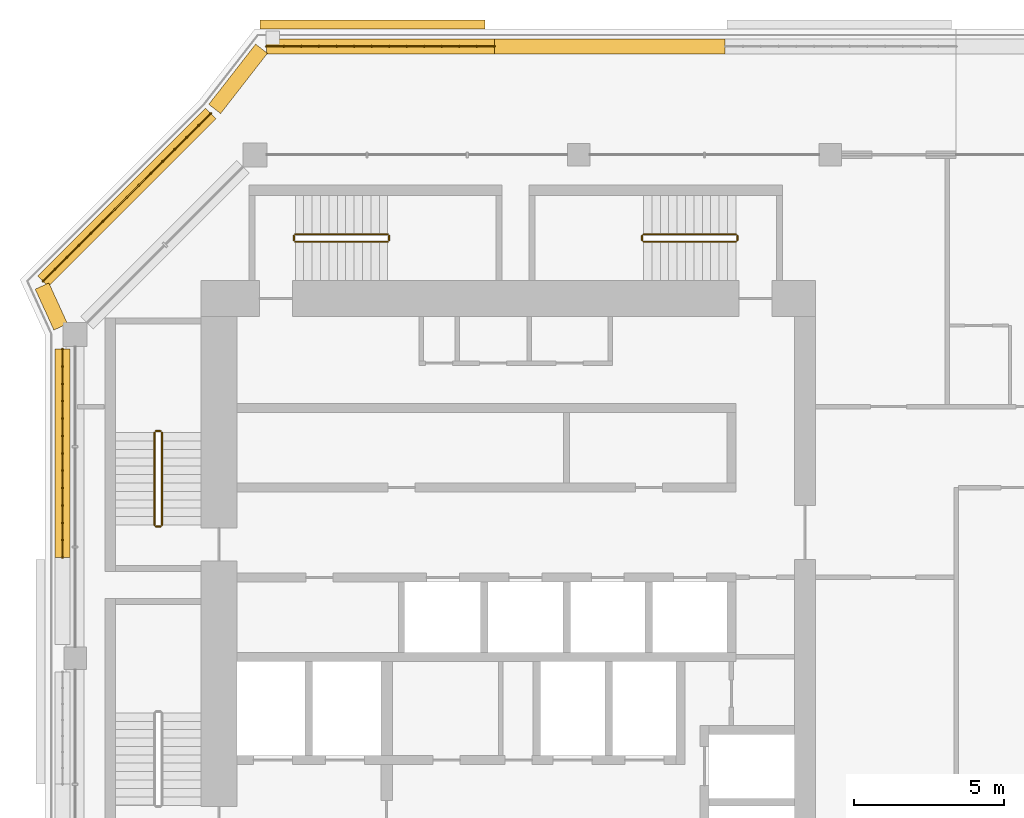
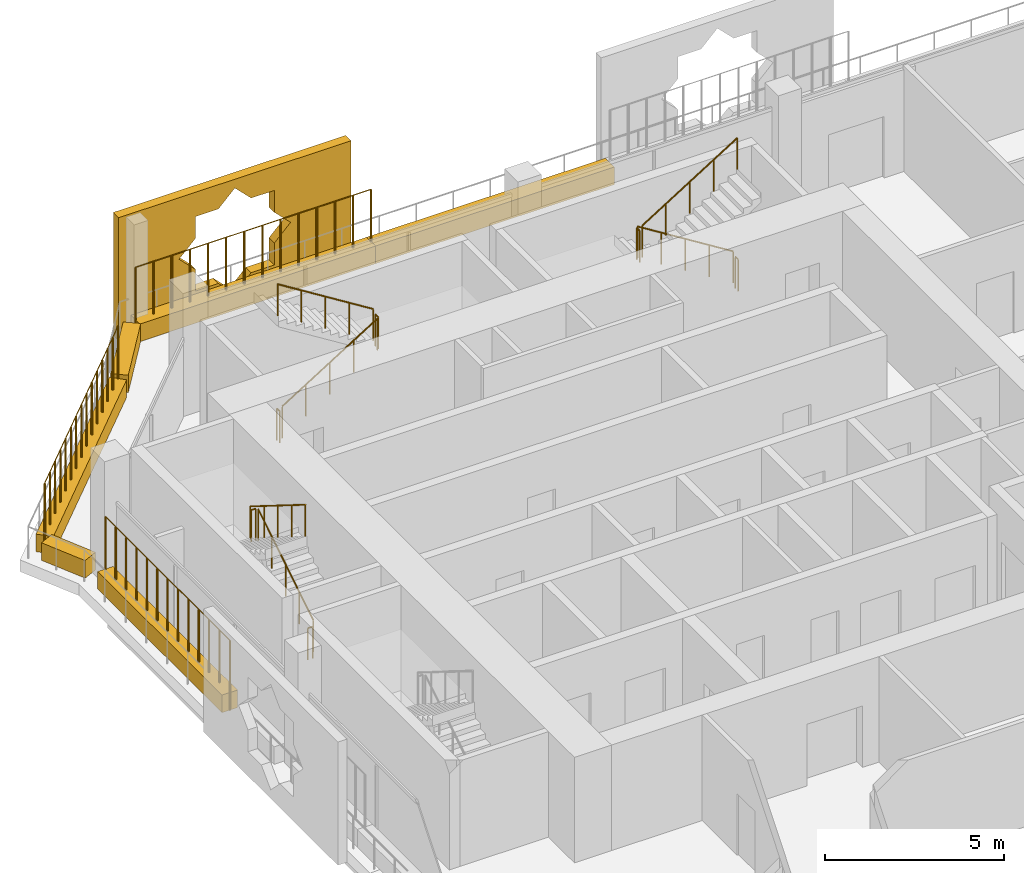
# One storey, part 19 of 21: 15 railings, 7 coverings.
"""IFC4 building model written with IfcOpenShell, lengths in metres."""

from ifc_helpers import new_model, si_unit, direction, frame, origin, origin_2d, place, context, subcontext, project, spatial, polyline, rectangle, circle, outline, extrude, material, material_profile, profile_set, type_object, element, save


model = new_model("IFC4")

# Units and contexts
model_context = context("Model", 3, precision=1e-05, world=origin(), true_north=direction((0.0, 1.0)))
body_context = subcontext(model_context, "Body", "Model", "MODEL_VIEW")
ifc_project = project(units=[si_unit("LENGTHUNIT", "METRE"), si_unit("AREAUNIT", "SQUARE_METRE"), si_unit("VOLUMEUNIT", "CUBIC_METRE"), si_unit("PLANEANGLEUNIT", "RADIAN"), si_unit("MASSUNIT", "GRAM", prefix="KILO")], contexts=[model_context])

# Site, building, storey
site_placement = place(None, origin())
site = spatial("IfcSite", under=ifc_project, at=site_placement, CompositionType="ELEMENT")
building_placement = place(site_placement, origin())
building = spatial("IfcBuilding", under=site, at=building_placement, Name="Kawkab Arch Medical Tower", CompositionType="ELEMENT")
storey_placement = place(building_placement, frame((0.0, 0.0, 307.0)))
storey = spatial("IfcBuildingStorey", under=building, at=storey_placement, Name="L71", CompositionType="ELEMENT", Elevation=307.0)

# Coverings
ifc_material_1 = material(Name="Bronze anodised aluminium mashrabiya panel, eight-point star pattern", Category="aluminium")
ifc_material_profile_1 = material_profile(ifc_material_1, outline(polyline([(-3.75, -2.10009765625), (3.75, -2.10009765625), (3.75, 2.10009765625), (-3.75, 2.10009765625), (-3.75, -2.10009765625)]), holes=[polyline([(1.800048828125, 0.0), (1.272705078125, 0.527099609375), (1.272705078125, 1.272705078125), (0.527099609375, 1.272705078125), (0.0, 1.800048828125), (-0.527099609375, 1.272705078125), (-1.272705078125, 1.272705078125), (-1.272705078125, 0.527099609375), (-1.800048828125, 0.0), (-1.272705078125, -0.527099609375), (-1.272705078125, -1.272705078125), (-0.527099609375, -1.272705078125), (0.0, -1.800048828125), (0.527099609375, -1.272705078125), (1.272705078125, -1.272705078125), (1.272705078125, -0.527099609375), (1.800048828125, 0.0)])]), Name="Mashrabiya panel 7500x4200")
ifc_profile_set_1 = profile_set([ifc_material_profile_1], Name="Bronze anodised aluminium mashrabiya panel, eight-point star pattern")
covering_type_1 = type_object("IfcCoveringType", Name="Mashrabiya panel 7500 x 4200", PredefinedType="USERDEFINED", material=ifc_profile_set_1)
covering_1_placement = place(storey_placement, frame((9.924072265625, 4.199951171875, 1.699951171875), z_axis=(0.0, 1.0, 0.0), x_axis=(-1.0, 0.0, 0.0)))
element("IfcCovering", 1, at=covering_1_placement, inside=storey, type_object=covering_type_1, Name="Mashrabiya panel L71.LOG-01-01.3", ObjectType="SCREEN", PredefinedType="USERDEFINED", context=body_context, shape_type="SweptSolid", body=[
    extrude(outline(polyline([(-3.75, -2.10009765625), (3.75, -2.10009765625), (3.75, 2.10009765625), (-3.75, 2.10009765625), (-3.75, -2.10009765625)]), holes=[polyline([(1.800048828125, 0.0), (1.272705078125, 0.527099609375), (1.272705078125, 1.272705078125), (0.527099609375, 1.272705078125), (0.0, 1.800048828125), (-0.527099609375, 1.272705078125), (-1.272705078125, 1.272705078125), (-1.272705078125, 0.527099609375), (-1.800048828125, 0.0), (-1.272705078125, -0.527099609375), (-1.272705078125, -1.272705078125), (-0.527099609375, -1.272705078125), (0.0, -1.800048828125), (0.527099609375, -1.272705078125), (1.272705078125, -1.272705078125), (1.272705078125, -0.527099609375), (1.800048828125, 0.0)])]), origin(), (0.0, 0.0, 1.0), 0.300048828125),
])
ifc_material_2 = material(Name="Planting soil in a precast trough", Category="concrete")
ifc_material_profile_2 = material_profile(ifc_material_2, rectangle(XDim=0.5, YDim=0.60009765625, at=origin_2d()), Name="Trough 500x600")
ifc_profile_set_2 = profile_set([ifc_material_profile_2], Name="Planting soil in a precast trough")
covering_type_2 = type_object("IfcCoveringType", Name="Planter trough 500 x 600", PredefinedType="USERDEFINED", material=ifc_profile_set_2)
covering_2_placement = place(storey_placement, frame((-0.419921875, -13.43701171875, 0.300048828125), z_axis=(0.0, 1.0, 0.0), x_axis=(-1.0, 0.0, 0.0)))
element("IfcCovering", 2, at=covering_2_placement, inside=storey, type_object=covering_type_2, Name="Planter L71.LOG-01-01.9", ObjectType="PLANTER", PredefinedType="USERDEFINED", context=body_context, shape_type="SweptSolid", body=[
    extrude(rectangle(XDim=0.5, YDim=0.60009765625, at=origin_2d()), origin(), (0.0, 0.0, 1.0), 6.95703125),
])
covering_3_placement = place(storey_placement, frame((-0.47998046875, -5.741943359375, 0.300048828125), z_axis=(-0.415189748133, 0.909734836667, 0.0), x_axis=(-0.909734836667, -0.415189748133, 0.0)))
element("IfcCovering", 3, at=covering_3_placement, inside=storey, type_object=covering_type_2, Name="Planter L71.LOG-01-01.10", ObjectType="PLANTER", PredefinedType="USERDEFINED", context=body_context, shape_type="SweptSolid", body=[
    extrude(rectangle(XDim=0.5, YDim=0.60009765625, at=origin_2d()), origin(), (0.0, 0.0, 1.0), 1.498291015625),
])
covering_4_placement = place(storey_placement, frame((-1.072998046875, -4.217041015625, 0.300048828125), z_axis=(0.707106781187, 0.707106781187, 0.0), x_axis=(-0.707106781187, 0.707106781187, 0.0)))
element("IfcCovering", 4, at=covering_4_placement, inside=storey, type_object=covering_type_2, Name="Planter L71.LOG-01-01.11", ObjectType="PLANTER", PredefinedType="USERDEFINED", context=body_context, shape_type="SweptSolid", body=[
    extrude(rectangle(XDim=0.5, YDim=0.60009765625, at=origin_2d()), origin(), (0.0, 0.0, 1.0), 7.919677734375),
])
covering_5_placement = place(storey_placement, frame((4.658935546875, 1.531982421875, 0.300048828125), z_axis=(0.61404021143, 0.789274742246, 0.0), x_axis=(-0.789274742246, 0.61404021143, 0.0)))
element("IfcCovering", 5, at=covering_5_placement, inside=storey, type_object=covering_type_2, Name="Planter L71.LOG-01-01.12", ObjectType="PLANTER", PredefinedType="USERDEFINED", context=body_context, shape_type="SweptSolid", body=[
    extrude(rectangle(XDim=0.5, YDim=0.60009765625, at=origin_2d()), origin(), (0.0, 0.0, 1.0), 2.54541015625),
])
covering_6_placement = place(storey_placement, frame((6.384033203125, 3.6201171875, 0.300048828125), z_axis=(1.0, 0.0, 0.0), x_axis=(0.0, 1.0, 0.0)))
element("IfcCovering", 6, at=covering_6_placement, inside=storey, type_object=covering_type_2, Name="Planter L71.LOG-01-01.13", ObjectType="PLANTER", PredefinedType="USERDEFINED", context=body_context, shape_type="SweptSolid", body=[
    extrude(rectangle(XDim=0.5, YDim=0.60009765625, at=origin_2d()), origin(), (0.0, 0.0, 1.0), 7.60498046875),
])
covering_7_placement = place(storey_placement, frame((13.989013671875, 3.6201171875, 0.300048828125), z_axis=(1.0, 0.0, 0.0), x_axis=(0.0, 1.0, 0.0)))
element("IfcCovering", 7, at=covering_7_placement, inside=storey, type_object=covering_type_2, Name="Planter L71.LOG-01-01.14", ObjectType="PLANTER", PredefinedType="USERDEFINED", context=body_context, shape_type="SweptSolid", body=[
    extrude(rectangle(XDim=0.5, YDim=0.60009765625, at=origin_2d()), origin(), (0.0, 0.0, 1.0), 7.7060546875),
])

# Railings
ifc_material_3 = material(Name="Bronze anodised aluminium trellis for climbing plants", Category="aluminium")
railing_type_1 = type_object("IfcRailingType", Name="Planting trellis 2400", PredefinedType="USERDEFINED", material=ifc_material_3)
railing_1_placement = place(storey_placement, frame((-0.419921875, -13.43701171875, 0.0)))
element("IfcRailing", 8, at=railing_1_placement, inside=storey, type_object=railing_type_1, Name="Planting trellis L71.LOG-01-01.9", ObjectType="TRELLIS", PredefinedType="USERDEFINED", context=body_context, shape_type="SweptSolid", body=[
    extrude(circle(Radius=0.01513671875, at=origin_2d()), frame((0.0, 0.0, 2.384765625), z_axis=(0.0, 1.0, 0.0), x_axis=(-1.0, 0.0, 0.0)), (0.0, 0.0, 1.0), 6.95703125),
    extrude(circle(Radius=0.030029296875, at=origin_2d()), origin(), (0.0, 0.0, 1.0), 2.369873046875),
    extrude(circle(Radius=0.030029296875, at=origin_2d()), frame((0.0, 0.579833984375, 0.0)), (0.0, 0.0, 1.0), 2.369873046875),
    extrude(circle(Radius=0.030029296875, at=origin_2d()), frame((0.0, 1.159423828125, 0.0)), (0.0, 0.0, 1.0), 2.369873046875),
    extrude(circle(Radius=0.030029296875, at=origin_2d()), frame((0.0, 1.7392578125, 0.0)), (0.0, 0.0, 1.0), 2.369873046875),
    extrude(circle(Radius=0.030029296875, at=origin_2d()), frame((0.0, 2.319091796875, 0.0)), (0.0, 0.0, 1.0), 2.369873046875),
    extrude(circle(Radius=0.030029296875, at=origin_2d()), frame((0.0, 2.898681640625, 0.0)), (0.0, 0.0, 1.0), 2.369873046875),
    extrude(circle(Radius=0.030029296875, at=origin_2d()), frame((0.0, 3.478515625, 0.0)), (0.0, 0.0, 1.0), 2.369873046875),
    extrude(circle(Radius=0.030029296875, at=origin_2d()), frame((0.0, 4.058349609375, 0.0)), (0.0, 0.0, 1.0), 2.369873046875),
    extrude(circle(Radius=0.030029296875, at=origin_2d()), frame((0.0, 4.637939453125, 0.0)), (0.0, 0.0, 1.0), 2.369873046875),
    extrude(circle(Radius=0.030029296875, at=origin_2d()), frame((0.0, 5.2177734375, 0.0)), (0.0, 0.0, 1.0), 2.369873046875),
    extrude(circle(Radius=0.030029296875, at=origin_2d()), frame((0.0, 5.797607421875, 0.0)), (0.0, 0.0, 1.0), 2.369873046875),
    extrude(circle(Radius=0.030029296875, at=origin_2d()), frame((0.0, 6.377197265625, 0.0)), (0.0, 0.0, 1.0), 2.369873046875),
    extrude(circle(Radius=0.030029296875, at=origin_2d()), frame((0.0, 6.95703125, 0.0)), (0.0, 0.0, 1.0), 2.369873046875),
])
railing_2_placement = place(storey_placement, frame((-1.072998046875, -4.217041015625, 0.0)))
element("IfcRailing", 9, at=railing_2_placement, inside=storey, type_object=railing_type_1, Name="Planting trellis L71.LOG-01-01.11", ObjectType="TRELLIS", PredefinedType="USERDEFINED", context=body_context, shape_type="SweptSolid", body=[
    extrude(circle(Radius=0.01513671875, at=origin_2d()), frame((0.0, 0.0, 2.384765625), z_axis=(0.707106781187, 0.707106781187, 0.0), x_axis=(-0.707106781187, 0.707106781187, 0.0)), (0.0, 0.0, 1.0), 7.919677734375),
    extrude(circle(Radius=0.030029296875, at=origin_2d()), origin(), (0.0, 0.0, 1.0), 2.369873046875),
    extrude(circle(Radius=0.030029296875, at=origin_2d()), frame((0.39990234375, 0.39990234375, 0.0)), (0.0, 0.0, 1.0), 2.369873046875),
    extrude(circle(Radius=0.030029296875, at=origin_2d()), frame((0.800048828125, 0.800048828125, 0.0)), (0.0, 0.0, 1.0), 2.369873046875),
    extrude(circle(Radius=0.030029296875, at=origin_2d()), frame((1.199951171875, 1.199951171875, 0.0)), (0.0, 0.0, 1.0), 2.369873046875),
    extrude(circle(Radius=0.030029296875, at=origin_2d()), frame((1.60009765625, 1.60009765625, 0.0)), (0.0, 0.0, 1.0), 2.369873046875),
    extrude(circle(Radius=0.030029296875, at=origin_2d()), frame((2.0, 2.0, 0.0)), (0.0, 0.0, 1.0), 2.369873046875),
    extrude(circle(Radius=0.030029296875, at=origin_2d()), frame((2.400146484375, 2.400146484375, 0.0)), (0.0, 0.0, 1.0), 2.369873046875),
    extrude(circle(Radius=0.030029296875, at=origin_2d()), frame((2.800048828125, 2.800048828125, 0.0)), (0.0, 0.0, 1.0), 2.369873046875),
    extrude(circle(Radius=0.030029296875, at=origin_2d()), frame((3.199951171875, 3.199951171875, 0.0)), (0.0, 0.0, 1.0), 2.369873046875),
    extrude(circle(Radius=0.030029296875, at=origin_2d()), frame((3.60009765625, 3.60009765625, 0.0)), (0.0, 0.0, 1.0), 2.369873046875),
    extrude(circle(Radius=0.030029296875, at=origin_2d()), frame((4.0, 4.0, 0.0)), (0.0, 0.0, 1.0), 2.369873046875),
    extrude(circle(Radius=0.030029296875, at=origin_2d()), frame((4.400146484375, 4.400146484375, 0.0)), (0.0, 0.0, 1.0), 2.369873046875),
    extrude(circle(Radius=0.030029296875, at=origin_2d()), frame((4.800048828125, 4.800048828125, 0.0)), (0.0, 0.0, 1.0), 2.369873046875),
    extrude(circle(Radius=0.030029296875, at=origin_2d()), frame((5.2001953125, 5.2001953125, 0.0)), (0.0, 0.0, 1.0), 2.369873046875),
    extrude(circle(Radius=0.030029296875, at=origin_2d()), frame((5.60009765625, 5.60009765625, 0.0)), (0.0, 0.0, 1.0), 2.369873046875),
])
railing_3_placement = place(storey_placement, frame((6.384033203125, 3.6201171875, 0.0)))
element("IfcRailing", 10, at=railing_3_placement, inside=storey, type_object=railing_type_1, Name="Planting trellis L71.LOG-01-01.13", ObjectType="TRELLIS", PredefinedType="USERDEFINED", context=body_context, shape_type="SweptSolid", body=[
    extrude(circle(Radius=0.01513671875, at=origin_2d()), frame((0.0, 0.0, 2.384765625), z_axis=(1.0, 0.0, 0.0), x_axis=(0.0, 1.0, 0.0)), (0.0, 0.0, 1.0), 7.60498046875),
    extrude(circle(Radius=0.030029296875, at=origin_2d()), origin(), (0.0, 0.0, 1.0), 2.369873046875),
    extrude(circle(Radius=0.030029296875, at=origin_2d()), frame((0.5849609375, 0.0, 0.0)), (0.0, 0.0, 1.0), 2.369873046875),
    extrude(circle(Radius=0.030029296875, at=origin_2d()), frame((1.169921875, 0.0, 0.0)), (0.0, 0.0, 1.0), 2.369873046875),
    extrude(circle(Radius=0.030029296875, at=origin_2d()), frame((1.7548828125, 0.0, 0.0)), (0.0, 0.0, 1.0), 2.369873046875),
    extrude(circle(Radius=0.030029296875, at=origin_2d()), frame((2.340087890625, 0.0, 0.0)), (0.0, 0.0, 1.0), 2.369873046875),
    extrude(circle(Radius=0.030029296875, at=origin_2d()), frame((2.925048828125, 0.0, 0.0)), (0.0, 0.0, 1.0), 2.369873046875),
    extrude(circle(Radius=0.030029296875, at=origin_2d()), frame((3.510009765625, 0.0, 0.0)), (0.0, 0.0, 1.0), 2.369873046875),
    extrude(circle(Radius=0.030029296875, at=origin_2d()), frame((4.094970703125, 0.0, 0.0)), (0.0, 0.0, 1.0), 2.369873046875),
    extrude(circle(Radius=0.030029296875, at=origin_2d()), frame((4.679931640625, 0.0, 0.0)), (0.0, 0.0, 1.0), 2.369873046875),
    extrude(circle(Radius=0.030029296875, at=origin_2d()), frame((5.264892578125, 0.0, 0.0)), (0.0, 0.0, 1.0), 2.369873046875),
    extrude(circle(Radius=0.030029296875, at=origin_2d()), frame((5.85009765625, 0.0, 0.0)), (0.0, 0.0, 1.0), 2.369873046875),
    extrude(circle(Radius=0.030029296875, at=origin_2d()), frame((6.43505859375, 0.0, 0.0)), (0.0, 0.0, 1.0), 2.369873046875),
    extrude(circle(Radius=0.030029296875, at=origin_2d()), frame((7.02001953125, 0.0, 0.0)), (0.0, 0.0, 1.0), 2.369873046875),
    extrude(circle(Radius=0.030029296875, at=origin_2d()), frame((7.60498046875, 0.0, 0.0)), (0.0, 0.0, 1.0), 2.369873046875),
])
ifc_material_4 = material(Name="Stainless steel", Category="steel")
railing_type_2 = type_object("IfcRailingType", Name="Stair guard 1100", PredefinedType="GUARDRAIL", material=ifc_material_4)
railing_4_placement = place(storey_placement, frame((2.89990234375, -12.35009765625, 0.175048828125)))
element("IfcRailing", 11, at=railing_4_placement, inside=storey, type_object=railing_type_2, Name="L71 ST1 stair guard 1", PredefinedType="GUARDRAIL", context=body_context, shape_type="SweptSolid", body=[
    extrude(circle(Radius=0.02392578125, at=origin_2d()), frame((0.0, 0.0, 1.076171875), z_axis=(0.0, 0.847998304005, 0.529998940003), x_axis=(-1.0, 0.0, 0.0)), (0.0, 0.0, 1.0), 3.632080078125),
    extrude(circle(Radius=0.02099609375, at=origin_2d()), origin(), (0.0, 0.0, 1.0), 1.052001953125),
    extrude(circle(Radius=0.02099609375, at=origin_2d()), frame((0.0, 0.77001953125, 0.481201171875)), (0.0, 0.0, 1.0), 1.052001953125),
    extrude(circle(Radius=0.02099609375, at=origin_2d()), frame((0.0, 1.5400390625, 0.96240234375)), (0.0, 0.0, 1.0), 1.052001953125),
    extrude(circle(Radius=0.02099609375, at=origin_2d()), frame((0.0, 2.31005859375, 1.44384765625)), (0.0, 0.0, 1.0), 1.052001953125),
    extrude(circle(Radius=0.02099609375, at=origin_2d()), frame((0.0, 3.080078125, 1.925048828125)), (0.0, 0.0, 1.0), 1.052001953125),
])
railing_5_placement = place(storey_placement, frame((2.85009765625, -9.219970703125, 2.10009765625)))
element("IfcRailing", 12, at=railing_5_placement, inside=storey, type_object=railing_type_2, Name="L71 ST1 stair guard 2", PredefinedType="GUARDRAIL", context=body_context, shape_type="SweptSolid", body=[
    extrude(circle(Radius=0.02392578125, at=origin_2d()), frame((0.0, 0.0, 1.076171875), z_axis=(-1.0, 0.0, 0.0), x_axis=(0.0, -1.0, 0.0)), (0.0, 0.0, 1.0), 0.150146484375),
    extrude(circle(Radius=0.02099609375, at=origin_2d()), origin(), (0.0, 0.0, 1.0), 1.052001953125),
    extrude(circle(Radius=0.02099609375, at=origin_2d()), frame((-0.150146484375, 0.0, 0.0)), (0.0, 0.0, 1.0), 1.052001953125),
])
railing_6_placement = place(storey_placement, frame((2.64990234375, -9.27001953125, 2.27490234375)))
element("IfcRailing", 13, at=railing_6_placement, inside=storey, type_object=railing_type_2, Name="L71 ST1 stair guard 3", PredefinedType="GUARDRAIL", context=body_context, shape_type="SweptSolid", body=[
    extrude(circle(Radius=0.02392578125, at=origin_2d()), frame((0.0, 0.0, 1.076171875), z_axis=(0.0, -0.847998304005, 0.529998940003), x_axis=(1.0, 0.0, 0.0)), (0.0, 0.0, 1.0), 3.632080078125),
    extrude(circle(Radius=0.02099609375, at=origin_2d()), origin(), (0.0, 0.0, 1.0), 1.052001953125),
    extrude(circle(Radius=0.02099609375, at=origin_2d()), frame((0.0, -0.77001953125, 0.481201171875)), (0.0, 0.0, 1.0), 1.052001953125),
    extrude(circle(Radius=0.02099609375, at=origin_2d()), frame((0.0, -1.5400390625, 0.96240234375)), (0.0, 0.0, 1.0), 1.052001953125),
    extrude(circle(Radius=0.02099609375, at=origin_2d()), frame((0.0, -2.31005859375, 1.44384765625)), (0.0, 0.0, 1.0), 1.052001953125),
    extrude(circle(Radius=0.02099609375, at=origin_2d()), frame((0.0, -3.080078125, 1.925048828125)), (0.0, 0.0, 1.0), 1.052001953125),
])
railing_7_placement = place(storey_placement, frame((2.85009765625, -12.39990234375, 0.0)))
element("IfcRailing", 14, at=railing_7_placement, inside=storey, type_object=railing_type_2, Name="L71 ST1 stair guard 4", PredefinedType="GUARDRAIL", context=body_context, shape_type="SweptSolid", body=[
    extrude(circle(Radius=0.02392578125, at=origin_2d()), frame((0.0, 0.0, 1.076171875), z_axis=(-1.0, 0.0, 0.0), x_axis=(0.0, -1.0, 0.0)), (0.0, 0.0, 1.0), 0.150146484375),
    extrude(circle(Radius=0.02099609375, at=origin_2d()), origin(), (0.0, 0.0, 1.0), 1.052001953125),
    extrude(circle(Radius=0.02099609375, at=origin_2d()), frame((-0.150146484375, 0.0, 0.0)), (0.0, 0.0, 1.0), 1.052001953125),
])
railing_8_placement = place(storey_placement, frame((7.35009765625, -2.89990234375, 0.175048828125)))
element("IfcRailing", 15, at=railing_8_placement, inside=storey, type_object=railing_type_2, Name="L71 ST3 stair guard 1", PredefinedType="GUARDRAIL", context=body_context, shape_type="SweptSolid", body=[
    extrude(circle(Radius=0.02392578125, at=origin_2d()), frame((0.0, 0.0, 1.076171875), z_axis=(0.847979421464, 0.0, 0.530029150871), x_axis=(0.0, 1.0, 0.0)), (0.0, 0.0, 1.0), 3.632080078125),
    extrude(circle(Radius=0.02099609375, at=origin_2d()), origin(), (0.0, 0.0, 1.0), 1.052001953125),
    extrude(circle(Radius=0.02099609375, at=origin_2d()), frame((0.77001953125, 0.0, 0.481201171875)), (0.0, 0.0, 1.0), 1.052001953125),
    extrude(circle(Radius=0.02099609375, at=origin_2d()), frame((1.5400390625, 0.0, 0.96240234375)), (0.0, 0.0, 1.0), 1.052001953125),
    extrude(circle(Radius=0.02099609375, at=origin_2d()), frame((2.309814453125, 0.0, 1.44384765625)), (0.0, 0.0, 1.0), 1.052001953125),
    extrude(circle(Radius=0.02099609375, at=origin_2d()), frame((3.079833984375, 0.0, 1.925048828125)), (0.0, 0.0, 1.0), 1.052001953125),
])
railing_9_placement = place(storey_placement, frame((10.47998046875, -2.85009765625, 2.10009765625)))
element("IfcRailing", 16, at=railing_9_placement, inside=storey, type_object=railing_type_2, Name="L71 ST3 stair guard 2", PredefinedType="GUARDRAIL", context=body_context, shape_type="SweptSolid", body=[
    extrude(circle(Radius=0.02392578125, at=origin_2d()), frame((0.0, 0.0, 1.076171875), z_axis=(0.0, 1.0, 0.0), x_axis=(-1.0, 0.0, 0.0)), (0.0, 0.0, 1.0), 0.150146484375),
    extrude(circle(Radius=0.02099609375, at=origin_2d()), origin(), (0.0, 0.0, 1.0), 1.052001953125),
    extrude(circle(Radius=0.02099609375, at=origin_2d()), frame((0.0, 0.150146484375, 0.0)), (0.0, 0.0, 1.0), 1.052001953125),
])
railing_10_placement = place(storey_placement, frame((10.429931640625, -2.64990234375, 2.27490234375)))
element("IfcRailing", 17, at=railing_10_placement, inside=storey, type_object=railing_type_2, Name="L71 ST3 stair guard 3", PredefinedType="GUARDRAIL", context=body_context, shape_type="SweptSolid", body=[
    extrude(circle(Radius=0.02392578125, at=origin_2d()), frame((0.0, 0.0, 1.076171875), z_axis=(-0.847979421464, 0.0, 0.530029150871), x_axis=(0.0, -1.0, 0.0)), (0.0, 0.0, 1.0), 3.632080078125),
    extrude(circle(Radius=0.02099609375, at=origin_2d()), origin(), (0.0, 0.0, 1.0), 1.052001953125),
    extrude(circle(Radius=0.02099609375, at=origin_2d()), frame((-0.77001953125, 0.0, 0.481201171875)), (0.0, 0.0, 1.0), 1.052001953125),
    extrude(circle(Radius=0.02099609375, at=origin_2d()), frame((-1.5400390625, 0.0, 0.96240234375)), (0.0, 0.0, 1.0), 1.052001953125),
    extrude(circle(Radius=0.02099609375, at=origin_2d()), frame((-2.309814453125, 0.0, 1.44384765625)), (0.0, 0.0, 1.0), 1.052001953125),
    extrude(circle(Radius=0.02099609375, at=origin_2d()), frame((-3.079833984375, 0.0, 1.925048828125)), (0.0, 0.0, 1.0), 1.052001953125),
])
railing_11_placement = place(storey_placement, frame((7.300048828125, -2.85009765625, 0.0)))
element("IfcRailing", 18, at=railing_11_placement, inside=storey, type_object=railing_type_2, Name="L71 ST3 stair guard 4", PredefinedType="GUARDRAIL", context=body_context, shape_type="SweptSolid", body=[
    extrude(circle(Radius=0.02392578125, at=origin_2d()), frame((0.0, 0.0, 1.076171875), z_axis=(0.0, 1.0, 0.0), x_axis=(-1.0, 0.0, 0.0)), (0.0, 0.0, 1.0), 0.150146484375),
    extrude(circle(Radius=0.02099609375, at=origin_2d()), origin(), (0.0, 0.0, 1.0), 1.052001953125),
    extrude(circle(Radius=0.02099609375, at=origin_2d()), frame((0.0, 0.150146484375, 0.0)), (0.0, 0.0, 1.0), 1.052001953125),
])
railing_12_placement = place(storey_placement, frame((22.050048828125, -2.64990234375, 0.175048828125)))
element("IfcRailing", 19, at=railing_12_placement, inside=storey, type_object=railing_type_2, Name="L71 ST4 stair guard 1", PredefinedType="GUARDRAIL", context=body_context, shape_type="SweptSolid", body=[
    extrude(circle(Radius=0.02392578125, at=origin_2d()), frame((0.0, 0.0, 1.076171875), z_axis=(-0.847998304005, 0.0, 0.529998940003), x_axis=(0.0, -1.0, 0.0)), (0.0, 0.0, 1.0), 3.632080078125),
    extrude(circle(Radius=0.02099609375, at=origin_2d()), origin(), (0.0, 0.0, 1.0), 1.052001953125),
    extrude(circle(Radius=0.02099609375, at=origin_2d()), frame((-0.77001953125, 0.0, 0.481201171875)), (0.0, 0.0, 1.0), 1.052001953125),
    extrude(circle(Radius=0.02099609375, at=origin_2d()), frame((-1.5400390625, 0.0, 0.96240234375)), (0.0, 0.0, 1.0), 1.052001953125),
    extrude(circle(Radius=0.02099609375, at=origin_2d()), frame((-2.31005859375, 0.0, 1.44384765625)), (0.0, 0.0, 1.0), 1.052001953125),
    extrude(circle(Radius=0.02099609375, at=origin_2d()), frame((-3.080078125, 0.0, 1.925048828125)), (0.0, 0.0, 1.0), 1.052001953125),
])
railing_13_placement = place(storey_placement, frame((18.919921875, -2.699951171875, 2.10009765625)))
element("IfcRailing", 20, at=railing_13_placement, inside=storey, type_object=railing_type_2, Name="L71 ST4 stair guard 2", PredefinedType="GUARDRAIL", context=body_context, shape_type="SweptSolid", body=[
    extrude(circle(Radius=0.02392578125, at=origin_2d()), frame((0.0, 0.0, 1.076171875), z_axis=(0.0, -1.0, 0.0), x_axis=(1.0, 0.0, 0.0)), (0.0, 0.0, 1.0), 0.150146484375),
    extrude(circle(Radius=0.02099609375, at=origin_2d()), origin(), (0.0, 0.0, 1.0), 1.052001953125),
    extrude(circle(Radius=0.02099609375, at=origin_2d()), frame((0.0, -0.150146484375, 0.0)), (0.0, 0.0, 1.0), 1.052001953125),
])
railing_14_placement = place(storey_placement, frame((18.969970703125, -2.89990234375, 2.27490234375)))
element("IfcRailing", 21, at=railing_14_placement, inside=storey, type_object=railing_type_2, Name="L71 ST4 stair guard 3", PredefinedType="GUARDRAIL", context=body_context, shape_type="SweptSolid", body=[
    extrude(circle(Radius=0.02392578125, at=origin_2d()), frame((0.0, 0.0, 1.076171875), z_axis=(0.847998304005, 0.0, 0.529998940003), x_axis=(0.0, 1.0, 0.0)), (0.0, 0.0, 1.0), 3.632080078125),
    extrude(circle(Radius=0.02099609375, at=origin_2d()), origin(), (0.0, 0.0, 1.0), 1.052001953125),
    extrude(circle(Radius=0.02099609375, at=origin_2d()), frame((0.77001953125, 0.0, 0.481201171875)), (0.0, 0.0, 1.0), 1.052001953125),
    extrude(circle(Radius=0.02099609375, at=origin_2d()), frame((1.5400390625, 0.0, 0.96240234375)), (0.0, 0.0, 1.0), 1.052001953125),
    extrude(circle(Radius=0.02099609375, at=origin_2d()), frame((2.31005859375, 0.0, 1.44384765625)), (0.0, 0.0, 1.0), 1.052001953125),
    extrude(circle(Radius=0.02099609375, at=origin_2d()), frame((3.080078125, 0.0, 1.925048828125)), (0.0, 0.0, 1.0), 1.052001953125),
])
railing_15_placement = place(storey_placement, frame((22.10009765625, -2.699951171875, 0.0)))
element("IfcRailing", 22, at=railing_15_placement, inside=storey, type_object=railing_type_2, Name="L71 ST4 stair guard 4", PredefinedType="GUARDRAIL", context=body_context, shape_type="SweptSolid", body=[
    extrude(circle(Radius=0.02392578125, at=origin_2d()), frame((0.0, 0.0, 1.076171875), z_axis=(0.0, -1.0, 0.0), x_axis=(1.0, 0.0, 0.0)), (0.0, 0.0, 1.0), 0.150146484375),
    extrude(circle(Radius=0.02099609375, at=origin_2d()), origin(), (0.0, 0.0, 1.0), 1.052001953125),
    extrude(circle(Radius=0.02099609375, at=origin_2d()), frame((0.0, -0.150146484375, 0.0)), (0.0, 0.0, 1.0), 1.052001953125),
])

save(model, "model.ifc")
